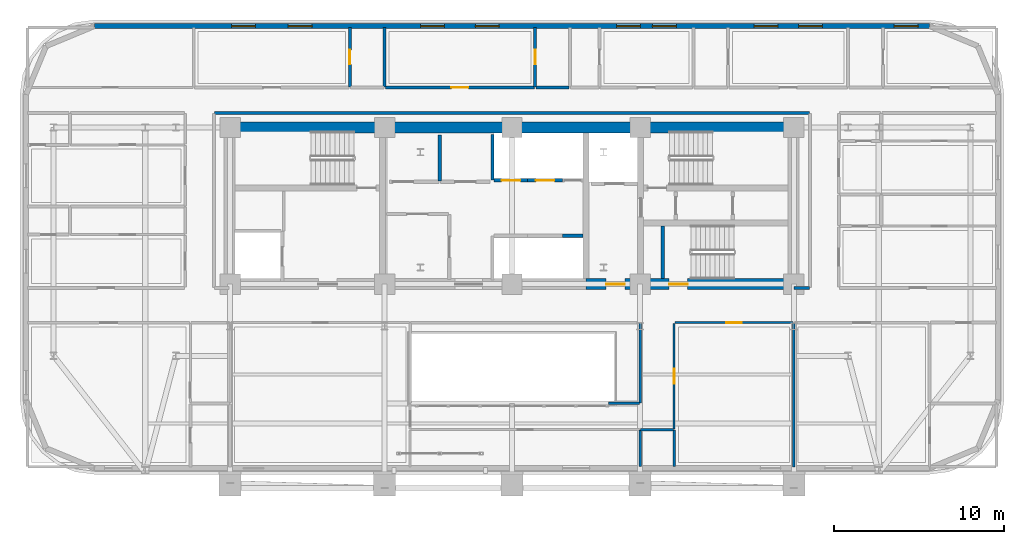
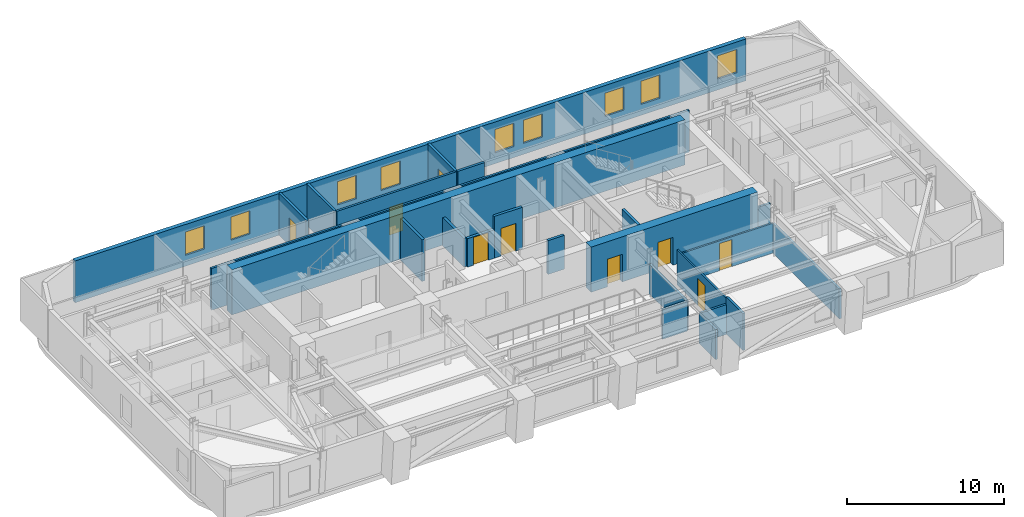
# One storey, part 10 of 15: 24 walls, 9 doors, 9 windows, 18 openings.
"""IFC4 building model written with IfcOpenShell, lengths in metres."""

from ifc_helpers import new_model, si_unit, direction, frame, frame_2d, origin, place, context, subcontext, project, spatial, rectangle, extrude, material, layer, layer_set, type_object, element, fill, save


model = new_model("IFC4")

# Units and contexts
model_context = context("Model", 3, precision=1e-05, world=origin(), true_north=direction((0.0, 1.0)))
body_context = subcontext(model_context, "Body", "Model", "MODEL_VIEW")
ifc_project = project(units=[si_unit("LENGTHUNIT", "METRE"), si_unit("AREAUNIT", "SQUARE_METRE"), si_unit("VOLUMEUNIT", "CUBIC_METRE"), si_unit("PLANEANGLEUNIT", "RADIAN"), si_unit("MASSUNIT", "GRAM", prefix="KILO")], contexts=[model_context])

# Site, building, storey
site_placement = place(None, origin())
site = spatial("IfcSite", under=ifc_project, at=site_placement, CompositionType="ELEMENT")
building_placement = place(site_placement, origin())
building = spatial("IfcBuilding", under=site, at=building_placement, Name="Zarnavel Station Tower", CompositionType="ELEMENT")
storey_placement = place(building_placement, frame((0.0, 0.0, 111.800048828125)))
storey = spatial("IfcBuildingStorey", under=building, at=storey_placement, Name="L30", CompositionType="ELEMENT", Elevation=111.800048828125)

# Wall
ifc_material_1 = material(Name="Concrete C60/75", Category="concrete")
ifc_layer_1 = layer(ifc_material_1, 0.64990234375)
ifc_layer_set_1 = layer_set([ifc_layer_1], Name="CW_650")
wall_type_1 = type_object("IfcWallType", Name="CW_650", PredefinedType="SHEAR", material=ifc_layer_set_1)
wall_1_placement = place(storey_placement, frame((12.14990234375, 37.050048828125, 0.0), z_axis=(0.0, 0.0, 1.0), x_axis=(1.0, 0.0, 0.0)))
element("IfcWall", 1, at=wall_1_placement, inside=storey, type_object=wall_type_1, Name="L30 Rear Core Shear Wall N", PredefinedType="SHEAR", context=body_context, shape_type="SweptSolid", body=[
    extrude(rectangle(XDim=33.22998046875, YDim=0.64990234375, at=frame_2d((16.614990234375, 0.0))), origin(), (0.0, 0.0, 1.0), 3.5),
])

# Wall, openings, doors
wall_2_placement = place(storey_placement, frame((45.3798828125, 27.820068359375, 0.0), z_axis=(0.0, 0.0, 1.0), x_axis=(-1.0, 0.0, 0.0)))
wall_2 = element("IfcWall", 2, at=wall_2_placement, inside=storey, type_object=wall_type_1, Name="L30 Rear Core Shear Wall S-E", PredefinedType="SHEAR", context=body_context, shape_type="SweptSolid", body=[
    extrude(rectangle(XDim=12.22998046875, YDim=0.64990234375, at=frame_2d((6.114990234375, 0.0))), origin(), (0.0, 0.0, 1.0), 3.5),
])
opening_1_placement = place(wall_2_placement, frame((9.929931640625, 0.0, 0.0)))
opening_1 = element("IfcOpeningElement", 3, at=opening_1_placement, cuts=wall_2, Name="Opening FD01", PredefinedType="OPENING", context=body_context, shape_type="SweptSolid", body=[
    extrude(rectangle(XDim=1.10009765625, YDim=2.14990234375, at=frame_2d((0.550048828125, 1.074951171875))), frame((0.0, 0.3349609375, 0.0), z_axis=(0.0, -1.0, 0.0), x_axis=(1.0, 0.0, 0.0)), (0.0, 0.0, 1.0), 0.669921875),
])
opening_2_placement = place(wall_2_placement, frame((6.22998046875, 0.0, 0.0)))
opening_2 = element("IfcOpeningElement", 4, at=opening_2_placement, cuts=wall_2, Name="Opening FD01", PredefinedType="OPENING", context=body_context, shape_type="SweptSolid", body=[
    extrude(rectangle(XDim=1.10009765625, YDim=2.14990234375, at=frame_2d((0.550048828125, 1.074951171875))), frame((0.0, 0.3349609375, 0.0), z_axis=(0.0, -1.0, 0.0), x_axis=(1.0, 0.0, 0.0)), (0.0, 0.0, 1.0), 0.669921875),
])
ifc_material_2 = material(Name="Painted Galvanised Steel and Hardwood Leaf", Category="steel")
door_type_1 = type_object("IfcDoorType", Name="ID_STAIR_1100", OperationType="NOTDEFINED", PredefinedType="DOOR", material=ifc_material_2)
door_1_placement = place(opening_1_placement, origin())
door_1 = element("IfcDoor", 5, at=door_1_placement, inside=storey, type_object=door_type_1, Name="L30 East Firefighting Lobby Door", OperationType="SINGLE_SWING_LEFT", OverallHeight=2.14990234375, OverallWidth=1.10009765625, PredefinedType="DOOR", context=body_context, shape_type="SweptSolid", body=[
    extrude(rectangle(XDim=1.10009765625, YDim=2.14990234375, at=frame_2d((0.550048828125, 1.074951171875))), frame((0.0, 0.02490234375, 0.0), z_axis=(0.0, -1.0, 0.0), x_axis=(1.0, 0.0, 0.0)), (0.0, 0.0, 1.0), 0.050048828125),
])
fill(opening_1, door_1)
door_2_placement = place(opening_2_placement, origin())
door_2 = element("IfcDoor", 6, at=door_2_placement, inside=storey, type_object=door_type_1, Name="L30 Stair ST3 Corridor Fire Door", OperationType="SINGLE_SWING_RIGHT", OverallHeight=2.14990234375, OverallWidth=1.10009765625, PredefinedType="DOOR", context=body_context, shape_type="SweptSolid", body=[
    extrude(rectangle(XDim=1.10009765625, YDim=2.14990234375, at=frame_2d((0.550048828125, 1.074951171875))), frame((0.0, 0.02490234375, 0.0), z_axis=(0.0, -1.0, 0.0), x_axis=(1.0, 0.0, 0.0)), (0.0, 0.0, 1.0), 0.050048828125),
])
fill(opening_2, door_2)

# Wall, openings, windows
ifc_material_3 = material(Name="Precast concrete C45/55 (Dark Basalt Finish)", Category="masonry")
ifc_layer_2 = layer(ifc_material_3, 0.300048828125)
ifc_layer_set_2 = layer_set([ifc_layer_2], Name="EW_BASALT_300")
wall_type_2 = type_object("IfcWallType", Name="EW_BASALT_300", PredefinedType="SOLIDWALL", material=ifc_layer_set_2)
wall_3_placement = place(storey_placement, frame((4.199951171875, 43.02001953125, 0.0), z_axis=(0.0, 0.0, 1.0), x_axis=(1.0, 0.0, 0.0)))
wall_3 = element("IfcWall", 7, at=wall_3_placement, inside=storey, type_object=wall_type_2, Name="L30 Exterior Basalt Masonry Frame Wall 06", PredefinedType="SOLIDWALL", context=body_context, shape_type="SweptSolid", body=[
    extrude(rectangle(XDim=49.199951171875, YDim=0.300048828125, at=frame_2d((24.60009765625, 0.0))), origin(), (0.0, 0.0, 1.0), 3.239990234375),
])
opening_3_placement = place(wall_3_placement, frame((8.090087890625, 0.0, 0.85009765625)))
opening_3 = element("IfcOpeningElement", 8, at=opening_3_placement, cuts=wall_3, Name="Opening WN01", PredefinedType="OPENING", context=body_context, shape_type="SweptSolid", body=[
    extrude(rectangle(XDim=1.39990234375, YDim=1.800048828125, at=frame_2d((0.699951171875, 0.89990234375))), frame((0.0, 0.159912109375, 0.0), z_axis=(0.0, -1.0, 0.0), x_axis=(1.0, 0.0, 0.0)), (0.0, 0.0, 1.0), 0.320068359375),
])
opening_4_placement = place(wall_3_placement, frame((11.419921875, 0.0, 0.85009765625)))
opening_4 = element("IfcOpeningElement", 9, at=opening_4_placement, cuts=wall_3, Name="Opening WN01", PredefinedType="OPENING", context=body_context, shape_type="SweptSolid", body=[
    extrude(rectangle(XDim=1.39990234375, YDim=1.800048828125, at=frame_2d((0.699951171875, 0.89990234375))), frame((0.0, 0.159912109375, 0.0), z_axis=(0.0, -1.0, 0.0), x_axis=(1.0, 0.0, 0.0)), (0.0, 0.0, 1.0), 0.320068359375),
])
opening_5_placement = place(wall_3_placement, frame((19.22021484375, 0.0, 0.85009765625)))
opening_5 = element("IfcOpeningElement", 10, at=opening_5_placement, cuts=wall_3, Name="Opening WN01", PredefinedType="OPENING", context=body_context, shape_type="SweptSolid", body=[
    extrude(rectangle(XDim=1.39990234375, YDim=1.800048828125, at=frame_2d((0.699951171875, 0.89990234375))), frame((0.0, 0.159912109375, 0.0), z_axis=(0.0, -1.0, 0.0), x_axis=(1.0, 0.0, 0.0)), (0.0, 0.0, 1.0), 0.320068359375),
])
opening_6_placement = place(wall_3_placement, frame((22.440673828125, 0.0, 0.85009765625)))
opening_6 = element("IfcOpeningElement", 11, at=opening_6_placement, cuts=wall_3, Name="Opening WN01", PredefinedType="OPENING", context=body_context, shape_type="SweptSolid", body=[
    extrude(rectangle(XDim=1.39990234375, YDim=1.800048828125, at=frame_2d((0.699951171875, 0.89990234375))), frame((0.0, 0.159912109375, 0.0), z_axis=(0.0, -1.0, 0.0), x_axis=(1.0, 0.0, 0.0)), (0.0, 0.0, 1.0), 0.320068359375),
])
opening_7_placement = place(wall_3_placement, frame((30.766357421875, 0.0, 0.85009765625)))
opening_7 = element("IfcOpeningElement", 12, at=opening_7_placement, cuts=wall_3, Name="Opening WN01", PredefinedType="OPENING", context=body_context, shape_type="SweptSolid", body=[
    extrude(rectangle(XDim=1.39990234375, YDim=1.800048828125, at=frame_2d((0.699951171875, 0.89990234375))), frame((0.0, 0.159912109375, 0.0), z_axis=(0.0, -1.0, 0.0), x_axis=(1.0, 0.0, 0.0)), (0.0, 0.0, 1.0), 0.320068359375),
])
opening_8_placement = place(wall_3_placement, frame((32.875732421875, 0.0, 0.85009765625)))
opening_8 = element("IfcOpeningElement", 13, at=opening_8_placement, cuts=wall_3, Name="Opening WN01", PredefinedType="OPENING", context=body_context, shape_type="SweptSolid", body=[
    extrude(rectangle(XDim=1.39990234375, YDim=1.800048828125, at=frame_2d((0.699951171875, 0.89990234375))), frame((0.0, 0.159912109375, 0.0), z_axis=(0.0, -1.0, 0.0), x_axis=(1.0, 0.0, 0.0)), (0.0, 0.0, 1.0), 0.320068359375),
])
opening_9_placement = place(wall_3_placement, frame((38.856689453125, 0.0, 0.85009765625)))
opening_9 = element("IfcOpeningElement", 14, at=opening_9_placement, cuts=wall_3, Name="Opening WN01", PredefinedType="OPENING", context=body_context, shape_type="SweptSolid", body=[
    extrude(rectangle(XDim=1.39990234375, YDim=1.800048828125, at=frame_2d((0.699951171875, 0.89990234375))), frame((0.0, 0.159912109375, 0.0), z_axis=(0.0, -1.0, 0.0), x_axis=(1.0, 0.0, 0.0)), (0.0, 0.0, 1.0), 0.320068359375),
])
opening_10_placement = place(wall_3_placement, frame((41.478271484375, 0.0, 0.85009765625)))
opening_10 = element("IfcOpeningElement", 15, at=opening_10_placement, cuts=wall_3, Name="Opening WN01", PredefinedType="OPENING", context=body_context, shape_type="SweptSolid", body=[
    extrude(rectangle(XDim=1.39990234375, YDim=1.800048828125, at=frame_2d((0.699951171875, 0.89990234375))), frame((0.0, 0.159912109375, 0.0), z_axis=(0.0, -1.0, 0.0), x_axis=(1.0, 0.0, 0.0)), (0.0, 0.0, 1.0), 0.320068359375),
])
opening_11_placement = place(wall_3_placement, frame((47.114990234375, 0.0, 0.85009765625)))
opening_11 = element("IfcOpeningElement", 16, at=opening_11_placement, cuts=wall_3, Name="Opening WN01", PredefinedType="OPENING", context=body_context, shape_type="SweptSolid", body=[
    extrude(rectangle(XDim=1.39990234375, YDim=1.800048828125, at=frame_2d((0.699951171875, 0.89990234375))), frame((0.0, 0.159912109375, 0.0), z_axis=(0.0, -1.0, 0.0), x_axis=(1.0, 0.0, 0.0)), (0.0, 0.0, 1.0), 0.320068359375),
])
ifc_material_4 = material(Name="Thermally Broken Black Aluminium and Low-E Dark Glass", Category="aluminium")
window_type = type_object("IfcWindowType", Name="WN_1400x1800", PartitioningType="DOUBLE_PANEL_VERTICAL", PredefinedType="WINDOW", material=ifc_material_4)
window_1_placement = place(opening_3_placement, origin())
window_1 = element("IfcWindow", 17, at=window_1_placement, inside=storey, type_object=window_type, Name="L30 Recessed Facade Window 01", OverallHeight=1.800048828125, OverallWidth=1.39990234375, PartitioningType="SINGLE_PANEL", PredefinedType="WINDOW", context=body_context, shape_type="SweptSolid", body=[
    extrude(rectangle(XDim=1.39990234375, YDim=1.800048828125, at=frame_2d((0.699951171875, 0.89990234375))), frame((0.0, 0.030029296875, 0.0), z_axis=(0.0, -1.0, 0.0), x_axis=(1.0, 0.0, 0.0)), (0.0, 0.0, 1.0), 0.06005859375),
])
fill(opening_3, window_1)
window_2_placement = place(opening_4_placement, origin())
window_2 = element("IfcWindow", 18, at=window_2_placement, inside=storey, type_object=window_type, Name="L30 Recessed Facade Window 02", OverallHeight=1.800048828125, OverallWidth=1.39990234375, PartitioningType="SINGLE_PANEL", PredefinedType="WINDOW", context=body_context, shape_type="SweptSolid", body=[
    extrude(rectangle(XDim=1.39990234375, YDim=1.800048828125, at=frame_2d((0.699951171875, 0.89990234375))), frame((0.0, 0.030029296875, 0.0), z_axis=(0.0, -1.0, 0.0), x_axis=(1.0, 0.0, 0.0)), (0.0, 0.0, 1.0), 0.06005859375),
])
fill(opening_4, window_2)
window_3_placement = place(opening_5_placement, origin())
window_3 = element("IfcWindow", 19, at=window_3_placement, inside=storey, type_object=window_type, Name="L30 Recessed Facade Window 03", OverallHeight=1.800048828125, OverallWidth=1.39990234375, PartitioningType="SINGLE_PANEL", PredefinedType="WINDOW", context=body_context, shape_type="SweptSolid", body=[
    extrude(rectangle(XDim=1.39990234375, YDim=1.800048828125, at=frame_2d((0.699951171875, 0.89990234375))), frame((0.0, 0.030029296875, 0.0), z_axis=(0.0, -1.0, 0.0), x_axis=(1.0, 0.0, 0.0)), (0.0, 0.0, 1.0), 0.06005859375),
])
fill(opening_5, window_3)
window_4_placement = place(opening_6_placement, origin())
window_4 = element("IfcWindow", 20, at=window_4_placement, inside=storey, type_object=window_type, Name="L30 Recessed Facade Window 04", OverallHeight=1.800048828125, OverallWidth=1.39990234375, PartitioningType="SINGLE_PANEL", PredefinedType="WINDOW", context=body_context, shape_type="SweptSolid", body=[
    extrude(rectangle(XDim=1.39990234375, YDim=1.800048828125, at=frame_2d((0.699951171875, 0.89990234375))), frame((0.0, 0.030029296875, 0.0), z_axis=(0.0, -1.0, 0.0), x_axis=(1.0, 0.0, 0.0)), (0.0, 0.0, 1.0), 0.06005859375),
])
fill(opening_6, window_4)
window_5_placement = place(opening_7_placement, origin())
window_5 = element("IfcWindow", 21, at=window_5_placement, inside=storey, type_object=window_type, Name="L30 Recessed Facade Window 05", OverallHeight=1.800048828125, OverallWidth=1.39990234375, PartitioningType="SINGLE_PANEL", PredefinedType="WINDOW", context=body_context, shape_type="SweptSolid", body=[
    extrude(rectangle(XDim=1.39990234375, YDim=1.800048828125, at=frame_2d((0.699951171875, 0.89990234375))), frame((0.0, 0.030029296875, 0.0), z_axis=(0.0, -1.0, 0.0), x_axis=(1.0, 0.0, 0.0)), (0.0, 0.0, 1.0), 0.06005859375),
])
fill(opening_7, window_5)
window_6_placement = place(opening_8_placement, origin())
window_6 = element("IfcWindow", 22, at=window_6_placement, inside=storey, type_object=window_type, Name="L30 Recessed Facade Window 06", OverallHeight=1.800048828125, OverallWidth=1.39990234375, PartitioningType="SINGLE_PANEL", PredefinedType="WINDOW", context=body_context, shape_type="SweptSolid", body=[
    extrude(rectangle(XDim=1.39990234375, YDim=1.800048828125, at=frame_2d((0.699951171875, 0.89990234375))), frame((0.0, 0.030029296875, 0.0), z_axis=(0.0, -1.0, 0.0), x_axis=(1.0, 0.0, 0.0)), (0.0, 0.0, 1.0), 0.06005859375),
])
fill(opening_8, window_6)
window_7_placement = place(opening_9_placement, origin())
window_7 = element("IfcWindow", 23, at=window_7_placement, inside=storey, type_object=window_type, Name="L30 Recessed Facade Window 07", OverallHeight=1.800048828125, OverallWidth=1.39990234375, PartitioningType="SINGLE_PANEL", PredefinedType="WINDOW", context=body_context, shape_type="SweptSolid", body=[
    extrude(rectangle(XDim=1.39990234375, YDim=1.800048828125, at=frame_2d((0.699951171875, 0.89990234375))), frame((0.0, 0.030029296875, 0.0), z_axis=(0.0, -1.0, 0.0), x_axis=(1.0, 0.0, 0.0)), (0.0, 0.0, 1.0), 0.06005859375),
])
fill(opening_9, window_7)
window_8_placement = place(opening_10_placement, origin())
window_8 = element("IfcWindow", 24, at=window_8_placement, inside=storey, type_object=window_type, Name="L30 Recessed Facade Window 08", OverallHeight=1.800048828125, OverallWidth=1.39990234375, PartitioningType="SINGLE_PANEL", PredefinedType="WINDOW", context=body_context, shape_type="SweptSolid", body=[
    extrude(rectangle(XDim=1.39990234375, YDim=1.800048828125, at=frame_2d((0.699951171875, 0.89990234375))), frame((0.0, 0.030029296875, 0.0), z_axis=(0.0, -1.0, 0.0), x_axis=(1.0, 0.0, 0.0)), (0.0, 0.0, 1.0), 0.06005859375),
])
fill(opening_10, window_8)
window_9_placement = place(opening_11_placement, origin())
window_9 = element("IfcWindow", 25, at=window_9_placement, inside=storey, type_object=window_type, Name="L30 Recessed Facade Window 09", OverallHeight=1.800048828125, OverallWidth=1.39990234375, PartitioningType="SINGLE_PANEL", PredefinedType="WINDOW", context=body_context, shape_type="SweptSolid", body=[
    extrude(rectangle(XDim=1.39990234375, YDim=1.800048828125, at=frame_2d((0.699951171875, 0.89990234375))), frame((0.0, 0.030029296875, 0.0), z_axis=(0.0, -1.0, 0.0), x_axis=(1.0, 0.0, 0.0)), (0.0, 0.0, 1.0), 0.06005859375),
])
fill(opening_11, window_9)

# Wall, opening, door
ifc_material_5 = material(Name="Gypsum Twin-Stud Acoustic Fire Partition", Category="concrete")
ifc_layer_3 = layer(ifc_material_5, 0.159912109375)
ifc_layer_set_3 = layer_set([ifc_layer_3], Name="PT_DEMISE_160")
wall_type_3 = type_object("IfcWallType", Name="PT_DEMISE_160", PredefinedType="PARTITIONING", material=ifc_layer_set_3)
wall_4_placement = place(storey_placement, frame((21.340087890625, 39.39990234375, 0.0), z_axis=(0.0, 0.0, 1.0), x_axis=(1.0, 0.0, 0.0)))
wall_4 = element("IfcWall", 26, at=wall_4_placement, inside=storey, type_object=wall_type_3, Name="L30 Partition COR-N-HN2R", PredefinedType="PARTITIONING", context=body_context, shape_type="SweptSolid", body=[
    extrude(rectangle(XDim=8.781005859375, YDim=0.159912109375, at=frame_2d((4.390625, 0.0))), origin(), (0.0, 0.0, 1.0), 3.239990234375),
])
opening_12_placement = place(wall_4_placement, frame((3.890380859375, 0.0, 0.0)))
opening_12 = element("IfcOpeningElement", 27, at=opening_12_placement, cuts=wall_4, Name="Opening FD02", PredefinedType="OPENING", context=body_context, shape_type="SweptSolid", body=[
    extrude(rectangle(XDim=1.0, YDim=2.14990234375, at=frame_2d((0.5, 1.074951171875))), frame((0.0, 0.08984375, 0.0), z_axis=(0.0, -1.0, 0.0), x_axis=(1.0, 0.0, 0.0)), (0.0, 0.0, 1.0), 0.179931640625),
])
ifc_material_6 = material(Name="Painted Galvanised Steel and Hardwood Leaf", Category="steel")
door_type_2 = type_object("IfcDoorType", Name="ID_ENTRY_1000", OperationType="NOTDEFINED", PredefinedType="DOOR", material=ifc_material_6)
door_3_placement = place(opening_12_placement, origin())
door_3 = element("IfcDoor", 28, at=door_3_placement, inside=storey, type_object=door_type_2, Name="L30 Door COR-N-HN2R", OperationType="SINGLE_SWING_RIGHT", OverallHeight=2.14990234375, OverallWidth=1.0, PredefinedType="DOOR", context=body_context, shape_type="SweptSolid", body=[
    extrude(rectangle(XDim=1.0, YDim=2.14990234375, at=frame_2d((0.5, 1.074951171875))), frame((0.0, 0.02490234375, 0.0), z_axis=(0.0, -1.0, 0.0), x_axis=(1.0, 0.0, 0.0)), (0.0, 0.0, 1.0), 0.050048828125),
])
fill(opening_12, door_3)

# Walls
wall_5_placement = place(storey_placement, frame((45.39990234375, 17.06005859375, 0.0), z_axis=(0.0, 0.0, 1.0), x_axis=(0.0, 1.0, 0.0)))
element("IfcWall", 29, at=wall_5_placement, inside=storey, type_object=wall_type_3, Name="L30 Partition L29SCR-L29FOY", PredefinedType="PARTITIONING", context=body_context, shape_type="SweptSolid", body=[
    extrude(rectangle(XDim=8.449951171875, YDim=0.159912109375, at=frame_2d((4.22509765625, 0.0))), origin(), (0.0, 0.0, 1.0), 2.31005859375),
])
wall_6_placement = place(storey_placement, frame((45.409912109375, 27.60009765625, 0.0), z_axis=(0.0, 0.0, 1.0), x_axis=(1.0, 0.0, 0.0)))
element("IfcWall", 30, at=wall_6_placement, inside=storey, type_object=wall_type_3, Name="L30 Enclosure Wall COR-S", PredefinedType="PARTITIONING", context=body_context, shape_type="SweptSolid", body=[
    extrude(rectangle(XDim=0.91015625, YDim=0.159912109375, at=frame_2d((0.455078125, 0.0))), origin(), (0.0, 0.0, 1.0), 2.280029296875),
])
wall_7_placement = place(storey_placement, frame((11.280029296875, 37.89990234375, 0.0), z_axis=(0.0, 0.0, 1.0), x_axis=(1.0, 0.0, 0.0)))
element("IfcWall", 31, at=wall_7_placement, inside=storey, type_object=wall_type_3, Name="L30 Enclosure Wall COR-N", PredefinedType="PARTITIONING", context=body_context, shape_type="SweptSolid", body=[
    extrude(rectangle(XDim=35.0400390625, YDim=0.159912109375, at=frame_2d((17.52001953125, 0.0))), origin(), (0.0, 0.0, 1.0), 3.239990234375),
])
wall_8_placement = place(storey_placement, frame((36.3798828125, 19.25, 0.0), z_axis=(0.0, 0.0, 1.0), x_axis=(1.0, 0.0, 0.0)))
element("IfcWall", 32, at=wall_8_placement, inside=storey, type_object=wall_type_3, Name="L30 Enclosure Wall COR-AE", PredefinedType="PARTITIONING", context=body_context, shape_type="SweptSolid", body=[
    extrude(rectangle(XDim=1.940185546875, YDim=0.159912109375, at=frame_2d((0.97021484375, 0.0))), origin(), (0.0, 0.0, 1.0), 2.31005859375),
])
wall_9_placement = place(storey_placement, frame((36.35009765625, 20.830078125, 0.0), z_axis=(0.0, 0.0, 1.0), x_axis=(0.0, 1.0, 0.0)))
element("IfcWall", 33, at=wall_9_placement, inside=storey, type_object=wall_type_3, Name="L30 Enclosure Wall COR-AE", PredefinedType="PARTITIONING", context=body_context, shape_type="SweptSolid", body=[
    extrude(rectangle(XDim=4.68994140625, YDim=0.159912109375, at=frame_2d((2.344970703125, 0.0))), origin(), (0.0, 0.0, 1.0), 2.31005859375),
])
wall_10_placement = place(storey_placement, frame((34.47998046875, 20.800048828125, 0.0), z_axis=(0.0, 0.0, 1.0), x_axis=(1.0, 0.0, 0.0)))
element("IfcWall", 34, at=wall_10_placement, inside=storey, type_object=wall_type_3, Name="L30 Enclosure Wall COR-AS", PredefinedType="PARTITIONING", context=body_context, shape_type="SweptSolid", body=[
    extrude(rectangle(XDim=1.840087890625, YDim=0.159912109375, at=frame_2d((0.919921875, 0.0))), origin(), (0.0, 0.0, 1.0), 2.31005859375),
])
wall_11_placement = place(storey_placement, frame((36.35009765625, 17.090087890625, 0.0), z_axis=(0.0, 0.0, 1.0), x_axis=(0.0, 1.0, 0.0)))
element("IfcWall", 35, at=wall_11_placement, inside=storey, type_object=wall_type_3, Name="L30 Enclosure Wall L29GYM", PredefinedType="PARTITIONING", context=body_context, shape_type="SweptSolid", body=[
    extrude(rectangle(XDim=2.1298828125, YDim=0.159912109375, at=frame_2d((1.06494140625, 0.0))), origin(), (0.0, 0.0, 1.0), 2.31005859375),
])
wall_12_placement = place(storey_placement, frame((38.35009765625, 17.090087890625, 0.0), z_axis=(0.0, 0.0, 1.0), x_axis=(0.0, 1.0, 0.0)))
element("IfcWall", 36, at=wall_12_placement, inside=storey, type_object=wall_type_3, Name="L30 Enclosure Wall L29SCR", PredefinedType="PARTITIONING", context=body_context, shape_type="SweptSolid", body=[
    extrude(rectangle(XDim=2.1298828125, YDim=0.159912109375, at=frame_2d((1.06494140625, 0.0))), origin(), (0.0, 0.0, 1.0), 2.869873046875),
])

# Wall, opening, door
ifc_material_7 = material(Name="Gypsum Metal-Stud Interior Partition", Category="concrete")
ifc_layer_4 = layer(ifc_material_7, 0.1201171875)
ifc_layer_set_4 = layer_set([ifc_layer_4], Name="PT_ROOM_120")
wall_type_4 = type_object("IfcWallType", Name="PT_ROOM_120", PredefinedType="PARTITIONING", material=ifc_layer_set_4)
wall_13_placement = place(storey_placement, frame((38.389892578125, 25.550048828125, 0.0), z_axis=(0.0, 0.0, 1.0), x_axis=(1.0, 0.0, 0.0)))
wall_13 = element("IfcWall", 37, at=wall_13_placement, inside=storey, type_object=wall_type_4, Name="L30 Partition COR-S-L29SCR", PredefinedType="PARTITIONING", context=body_context, shape_type="SweptSolid", body=[
    extrude(rectangle(XDim=6.97021484375, YDim=0.1201171875, at=frame_2d((3.485107421875, 0.0))), origin(), (0.0, 0.0, 1.0), 2.31005859375),
])
opening_13_placement = place(wall_13_placement, frame((3.034912109375, 0.0, 0.0)))
opening_13 = element("IfcOpeningElement", 38, at=opening_13_placement, cuts=wall_13, Name="Opening ID01", PredefinedType="OPENING", context=body_context, shape_type="SweptSolid", body=[
    extrude(rectangle(XDim=0.89990234375, YDim=2.10009765625, at=frame_2d((0.449951171875, 1.050048828125))), frame((0.0, 0.070068359375, 0.0), z_axis=(0.0, -1.0, 0.0), x_axis=(1.0, 0.0, 0.0)), (0.0, 0.0, 1.0), 0.14013671875),
])
ifc_material_8 = material(Name="Painted Galvanised Steel and Hardwood Leaf", Category="steel")
door_type_3 = type_object("IfcDoorType", Name="ID_ROOM_900", OperationType="NOTDEFINED", PredefinedType="DOOR", material=ifc_material_8)
door_4_placement = place(opening_13_placement, origin())
door_4 = element("IfcDoor", 39, at=door_4_placement, inside=storey, type_object=door_type_3, Name="L30 Door COR-S-L29SCR", OperationType="SINGLE_SWING_LEFT", OverallHeight=2.10009765625, OverallWidth=0.89990234375, PredefinedType="DOOR", context=body_context, shape_type="SweptSolid", body=[
    extrude(rectangle(XDim=0.89990234375, YDim=2.10009765625, at=frame_2d((0.449951171875, 1.050048828125))), frame((0.0, 0.02490234375, 0.0), z_axis=(0.0, -1.0, 0.0), x_axis=(1.0, 0.0, 0.0)), (0.0, 0.0, 1.0), 0.050048828125),
])
fill(opening_13, door_4)

wall_14_placement = place(storey_placement, frame((38.35009765625, 19.2900390625, 0.0), z_axis=(0.0, 0.0, 1.0), x_axis=(0.0, 1.0, 0.0)))
wall_14 = element("IfcWall", 40, at=wall_14_placement, inside=storey, type_object=wall_type_4, Name="L30 Partition COR-AE-L29SCR", PredefinedType="PARTITIONING", context=body_context, shape_type="SweptSolid", body=[
    extrude(rectangle(XDim=6.219970703125, YDim=0.1201171875, at=frame_2d((3.10986328125, 0.0))), origin(), (0.0, 0.0, 1.0), 2.719970703125),
])
opening_14_placement = place(wall_14_placement, frame((2.659912109375, 0.0, 0.0)))
opening_14 = element("IfcOpeningElement", 41, at=opening_14_placement, cuts=wall_14, Name="Opening ID01", PredefinedType="OPENING", context=body_context, shape_type="SweptSolid", body=[
    extrude(rectangle(XDim=0.89990234375, YDim=2.10009765625, at=frame_2d((0.449951171875, 1.050048828125))), frame((0.0, 0.070068359375, 0.0), z_axis=(0.0, -1.0, 0.0), x_axis=(1.0, 0.0, 0.0)), (0.0, 0.0, 1.0), 0.14013671875),
])
door_5_placement = place(opening_14_placement, origin())
door_5 = element("IfcDoor", 42, at=door_5_placement, inside=storey, type_object=door_type_3, Name="L30 Door COR-AE-L29SCR", OperationType="SINGLE_SWING_RIGHT", OverallHeight=2.10009765625, OverallWidth=0.89990234375, PredefinedType="DOOR", context=body_context, shape_type="SweptSolid", body=[
    extrude(rectangle(XDim=0.89990234375, YDim=2.10009765625, at=frame_2d((0.449951171875, 1.050048828125))), frame((0.0, 0.02490234375, 0.0), z_axis=(0.0, -1.0, 0.0), x_axis=(1.0, 0.0, 0.0)), (0.0, 0.0, 1.0), 0.050048828125),
])
fill(opening_14, door_5)

# Wall
ifc_material_9 = material(Name="Precast concrete C45/55 (Fire Shaft Blockwork)", Category="masonry")
ifc_layer_5 = layer(ifc_material_9, 0.199951171875)
ifc_layer_set_5 = layer_set([ifc_layer_5], Name="PT_SHAFT_200")
wall_type_5 = type_object("IfcWallType", Name="PT_SHAFT_200", PredefinedType="PARTITIONING", material=ifc_layer_set_5)
wall_15_placement = place(storey_placement, frame((31.77490234375, 30.669921875, 0.0), z_axis=(0.0, 0.0, 1.0), x_axis=(1.0, 0.0, 0.0)))
element("IfcWall", 43, at=wall_15_placement, inside=storey, type_object=wall_type_5, Name="L30 Lift PL-H3 Shaft Front Wall", PredefinedType="PARTITIONING", context=body_context, shape_type="SweptSolid", body=[
    extrude(rectangle(XDim=1.2001953125, YDim=0.199951171875, at=frame_2d((0.60009765625, 0.0))), origin(), (0.0, 0.0, 1.0), 2.619873046875),
])

# Wall, opening, door
wall_16_placement = place(storey_placement, frame((27.75, 33.929931640625, 0.0), z_axis=(0.0, 0.0, 1.0), x_axis=(1.0, 0.0, 0.0)))
wall_16 = element("IfcWall", 44, at=wall_16_placement, inside=storey, type_object=wall_type_5, Name="L30 Lift PL-M1 Shaft Front Wall", PredefinedType="PARTITIONING", context=body_context, shape_type="SweptSolid", body=[
    extrude(rectangle(XDim=1.97509765625, YDim=0.199951171875, at=frame_2d((0.987548828125, 0.0))), origin(), (0.0, 0.0, 1.0), 2.2119140625),
])
opening_15_placement = place(wall_16_placement, frame((0.4375, 0.0, 0.0)))
opening_15 = element("IfcOpeningElement", 45, at=opening_15_placement, cuts=wall_16, Name="Opening LD02", PredefinedType="OPENING", context=body_context, shape_type="SweptSolid", body=[
    extrude(rectangle(XDim=1.10009765625, YDim=2.14990234375, at=frame_2d((0.550048828125, 1.074951171875))), frame((0.0, 0.10986328125, 0.0), z_axis=(0.0, -1.0, 0.0), x_axis=(1.0, 0.0, 0.0)), (0.0, 0.0, 1.0), 0.219970703125),
])
ifc_material_10 = material(Name="Painted Galvanised Steel and Hardwood Leaf", Category="steel")
door_type_4 = type_object("IfcDoorType", Name="LD_PAX_1100", OperationType="DOUBLE_DOOR_SLIDING", PredefinedType="DOOR", material=ifc_material_10)
door_6_placement = place(opening_15_placement, origin())
door_6 = element("IfcDoor", 46, at=door_6_placement, inside=storey, type_object=door_type_4, Name="L30 Lift PL-M1 Sliding Landing Door", OperationType="DOUBLE_DOOR_SLIDING", OverallHeight=2.14990234375, OverallWidth=1.10009765625, PredefinedType="DOOR", context=body_context, shape_type="SweptSolid", body=[
    extrude(rectangle(XDim=1.10009765625, YDim=2.14990234375, at=frame_2d((0.550048828125, 1.074951171875))), frame((0.0, 0.02490234375, 0.0), z_axis=(0.0, -1.0, 0.0), x_axis=(1.0, 0.0, 0.0)), (0.0, 0.0, 1.0), 0.050048828125),
])
fill(opening_15, door_6)

# Wall
wall_17_placement = place(storey_placement, frame((27.64990234375, 33.949951171875, 0.0), z_axis=(0.0, 0.0, 1.0), x_axis=(0.0, 1.0, 0.0)))
element("IfcWall", 47, at=wall_17_placement, inside=storey, type_object=wall_type_5, Name="L30 Mid-Rise Lift Bank West Shaft Wall", PredefinedType="PARTITIONING", context=body_context, shape_type="SweptSolid", body=[
    extrude(rectangle(XDim=2.679931640625, YDim=0.199951171875, at=frame_2d((1.33984375, 0.0))), origin(), (0.0, 0.0, 1.0), 2.2119140625),
])

# Wall, opening, door
wall_18_placement = place(storey_placement, frame((29.72509765625, 33.929931640625, 0.0), z_axis=(0.0, 0.0, 1.0), x_axis=(1.0, 0.0, 0.0)))
wall_18 = element("IfcWall", 48, at=wall_18_placement, inside=storey, type_object=wall_type_5, Name="L30 Lift PL-M2 Shaft Front Wall", PredefinedType="PARTITIONING", context=body_context, shape_type="SweptSolid", body=[
    extrude(rectangle(XDim=2.0498046875, YDim=0.199951171875, at=frame_2d((1.02490234375, 0.0))), origin(), (0.0, 0.0, 1.0), 3.239990234375),
])
opening_16_placement = place(wall_18_placement, frame((0.47509765625, 0.0, 0.0)))
opening_16 = element("IfcOpeningElement", 49, at=opening_16_placement, cuts=wall_18, Name="Opening LD02", PredefinedType="OPENING", context=body_context, shape_type="SweptSolid", body=[
    extrude(rectangle(XDim=1.10009765625, YDim=2.14990234375, at=frame_2d((0.550048828125, 1.074951171875))), frame((0.0, 0.10986328125, 0.0), z_axis=(0.0, -1.0, 0.0), x_axis=(1.0, 0.0, 0.0)), (0.0, 0.0, 1.0), 0.219970703125),
])
door_7_placement = place(opening_16_placement, origin())
door_7 = element("IfcDoor", 50, at=door_7_placement, inside=storey, type_object=door_type_4, Name="L30 Lift PL-M2 Sliding Landing Door", OperationType="DOUBLE_DOOR_SLIDING", OverallHeight=2.14990234375, OverallWidth=1.10009765625, PredefinedType="DOOR", context=body_context, shape_type="SweptSolid", body=[
    extrude(rectangle(XDim=1.10009765625, YDim=2.14990234375, at=frame_2d((0.550048828125, 1.074951171875))), frame((0.0, 0.02490234375, 0.0), z_axis=(0.0, -1.0, 0.0), x_axis=(1.0, 0.0, 0.0)), (0.0, 0.0, 1.0), 0.050048828125),
])
fill(opening_16, door_7)

# Walls
wall_19_placement = place(storey_placement, frame((37.679931640625, 28.14501953125, 0.0), z_axis=(0.0, 0.0, 1.0), x_axis=(0.0, 1.0, 0.0)))
element("IfcWall", 51, at=wall_19_placement, inside=storey, type_object=wall_type_5, Name="L30 Stair ST3 West Shaft Wall", PredefinedType="PARTITIONING", context=body_context, shape_type="SweptSolid", body=[
    extrude(rectangle(XDim=3.10498046875, YDim=0.199951171875, at=frame_2d((1.552490234375, 0.0))), origin(), (0.0, 0.0, 1.0), 2.619873046875),
])
wall_20_placement = place(storey_placement, frame((24.550048828125, 33.889892578125, 0.0), z_axis=(0.0, 0.0, 1.0), x_axis=(0.0, 1.0, 0.0)))
element("IfcWall", 52, at=wall_20_placement, inside=storey, type_object=wall_type_5, Name="L30 Partition FB1A-FB1B", PredefinedType="PARTITIONING", context=body_context, shape_type="SweptSolid", body=[
    extrude(rectangle(XDim=2.72021484375, YDim=0.199951171875, at=frame_2d((1.360107421875, 0.0))), origin(), (0.0, 0.0, 1.0), 3.239990234375),
])
ifc_material_11 = material(Name="Moisture-Resistant Plumbing Chase Wall", Category="concrete")
ifc_layer_6 = layer(ifc_material_11, 0.179931640625)
ifc_layer_set_6 = layer_set([ifc_layer_6], Name="PW_PLUMB_180")
wall_type_6 = type_object("IfcWallType", Name="PW_PLUMB_180", PredefinedType="PLUMBINGWALL", material=ifc_layer_set_6)
wall_21_placement = place(storey_placement, frame((30.200927734375, 39.39990234375, 0.0), z_axis=(0.0, 0.0, 1.0), x_axis=(1.0, 0.0, 0.0)))
element("IfcWall", 53, at=wall_21_placement, inside=storey, type_object=wall_type_6, Name="L30 Partition COR-N-HN2B", PredefinedType="PLUMBINGWALL", context=body_context, shape_type="SweptSolid", body=[
    extrude(rectangle(XDim=1.969970703125, YDim=0.179931640625, at=frame_2d((0.98486328125, 0.0))), origin(), (0.0, 0.0, 1.0), 3.239990234375),
])

# Wall, opening, door
wall_22_placement = place(storey_placement, frame((19.25, 39.43994140625, 0.0), z_axis=(0.0, 0.0, 1.0), x_axis=(0.0, 1.0, 0.0)))
wall_22 = element("IfcWall", 54, at=wall_22_placement, inside=storey, type_object=wall_type_6, Name="L30 Partition HN1R-HN1B", PredefinedType="PLUMBINGWALL", context=body_context, shape_type="SweptSolid", body=[
    extrude(rectangle(XDim=3.5, YDim=0.179931640625, at=frame_2d((1.75, 0.0))), origin(), (0.0, 0.0, 1.0), 3.239990234375),
])
opening_17_placement = place(wall_22_placement, frame((1.324951171875, 0.0, 0.0)))
opening_17 = element("IfcOpeningElement", 55, at=opening_17_placement, cuts=wall_22, Name="Opening ID02", PredefinedType="OPENING", context=body_context, shape_type="SweptSolid", body=[
    extrude(rectangle(XDim=0.85009765625, YDim=2.10009765625, at=frame_2d((0.425048828125, 1.050048828125))), frame((0.0, 0.099853515625, 0.0), z_axis=(0.0, -1.0, 0.0), x_axis=(1.0, 0.0, 0.0)), (0.0, 0.0, 1.0), 0.199951171875),
])
ifc_material_12 = material(Name="Painted Galvanised Steel and Hardwood Leaf", Category="steel")
door_type_5 = type_object("IfcDoorType", Name="ID_BATH_850", OperationType="NOTDEFINED", PredefinedType="DOOR", material=ifc_material_12)
door_8_placement = place(opening_17_placement, origin())
door_8 = element("IfcDoor", 56, at=door_8_placement, inside=storey, type_object=door_type_5, Name="L30 Door HN1R-HN1B", OperationType="SINGLE_SWING_LEFT", OverallHeight=2.10009765625, OverallWidth=0.85009765625, PredefinedType="DOOR", context=body_context, shape_type="SweptSolid", body=[
    extrude(rectangle(XDim=0.85009765625, YDim=2.10009765625, at=frame_2d((0.425048828125, 1.050048828125))), frame((0.0, 0.02490234375, 0.0), z_axis=(0.0, -1.0, 0.0), x_axis=(1.0, 0.0, 0.0)), (0.0, 0.0, 1.0), 0.050048828125),
])
fill(opening_17, door_8)

# Wall
wall_23_placement = place(storey_placement, frame((21.300048828125, 39.43994140625, 0.0), z_axis=(0.0, 0.0, 1.0), x_axis=(0.0, 1.0, 0.0)))
element("IfcWall", 57, at=wall_23_placement, inside=storey, type_object=wall_type_6, Name="L30 Partition HN1B-HN2R", PredefinedType="PLUMBINGWALL", context=body_context, shape_type="SweptSolid", body=[
    extrude(rectangle(XDim=3.5, YDim=0.179931640625, at=frame_2d((1.75, 0.0))), origin(), (0.0, 0.0, 1.0), 3.239990234375),
])

# Wall, opening, door
wall_24_placement = place(storey_placement, frame((30.160888671875, 39.43994140625, 0.0), z_axis=(0.0, 0.0, 1.0), x_axis=(0.0, 1.0, 0.0)))
wall_24 = element("IfcWall", 58, at=wall_24_placement, inside=storey, type_object=wall_type_6, Name="L30 Partition HN2R-HN2B", PredefinedType="PLUMBINGWALL", context=body_context, shape_type="SweptSolid", body=[
    extrude(rectangle(XDim=3.5, YDim=0.179931640625, at=frame_2d((1.75, 0.0))), origin(), (0.0, 0.0, 1.0), 3.239990234375),
])
opening_18_placement = place(wall_24_placement, frame((1.324951171875, 0.0, 0.0)))
opening_18 = element("IfcOpeningElement", 59, at=opening_18_placement, cuts=wall_24, Name="Opening ID02", PredefinedType="OPENING", context=body_context, shape_type="SweptSolid", body=[
    extrude(rectangle(XDim=0.85009765625, YDim=2.10009765625, at=frame_2d((0.425048828125, 1.050048828125))), frame((0.0, 0.099853515625, 0.0), z_axis=(0.0, -1.0, 0.0), x_axis=(1.0, 0.0, 0.0)), (0.0, 0.0, 1.0), 0.199951171875),
])
door_9_placement = place(opening_18_placement, origin())
door_9 = element("IfcDoor", 60, at=door_9_placement, inside=storey, type_object=door_type_5, Name="L30 Door HN2R-HN2B", OperationType="SINGLE_SWING_RIGHT", OverallHeight=2.10009765625, OverallWidth=0.85009765625, PredefinedType="DOOR", context=body_context, shape_type="SweptSolid", body=[
    extrude(rectangle(XDim=0.85009765625, YDim=2.10009765625, at=frame_2d((0.425048828125, 1.050048828125))), frame((0.0, 0.02490234375, 0.0), z_axis=(0.0, -1.0, 0.0), x_axis=(1.0, 0.0, 0.0)), (0.0, 0.0, 1.0), 0.050048828125),
])
fill(opening_18, door_9)

save(model, "model.ifc")
